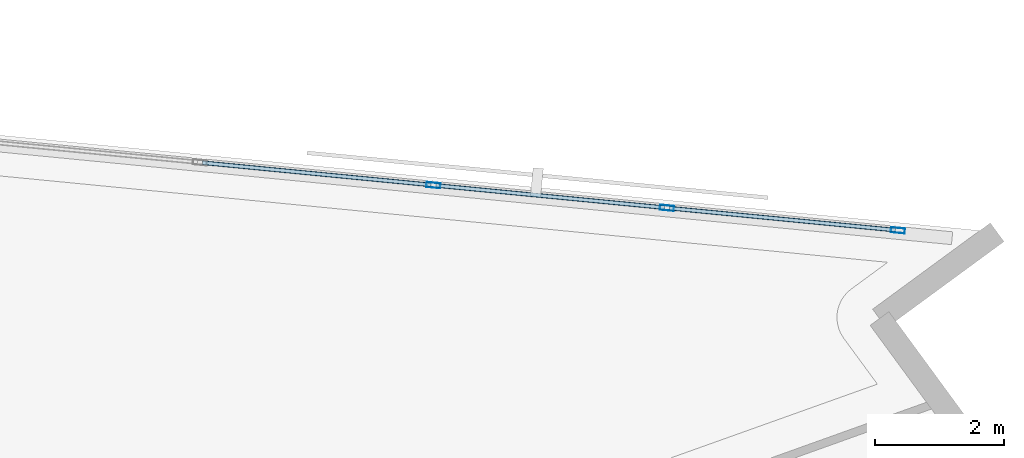
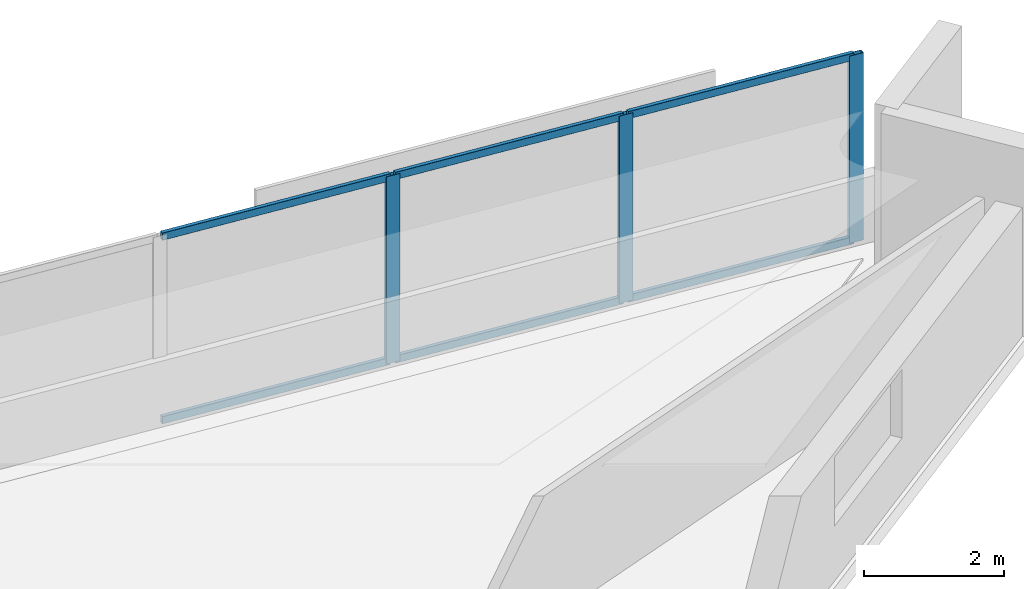
# One storey, part 6 of 14: 9 members, 1 element without a shape of its own.
"""IFC4 building model written with IfcOpenShell, lengths in metres."""

from ifc_helpers import new_model, si_unit, direction, frame, origin, origin_2d, place, context, subcontext, project, spatial, hollow_rectangle, extrude, material, material_profile, profile_set, type_object, element, aggregate, save


model = new_model("IFC4")

# Units and contexts
model_context = context("Model", 3, precision=1e-05, world=origin(), true_north=direction((0.0, 1.0)))
body_context = subcontext(model_context, "Body", "Model", "MODEL_VIEW")
ifc_project = project(units=[si_unit("LENGTHUNIT", "METRE"), si_unit("AREAUNIT", "SQUARE_METRE"), si_unit("VOLUMEUNIT", "CUBIC_METRE"), si_unit("PLANEANGLEUNIT", "RADIAN"), si_unit("MASSUNIT", "GRAM", prefix="KILO")], contexts=[model_context])

# Site, building, storey
site_placement = place(None, origin())
site = spatial("IfcSite", under=ifc_project, at=site_placement, CompositionType="ELEMENT")
building_placement = place(site_placement, origin())
building = spatial("IfcBuilding", under=site, at=building_placement, Name="Narakoshi Arena Tower", CompositionType="ELEMENT")
storey_placement = place(building_placement, frame((0.0, 0.0, 260.739990234375)))
storey = spatial("IfcBuildingStorey", under=building, at=storey_placement, Name="L71", CompositionType="ELEMENT", Elevation=260.739990234375)

# Curtain wall, members
ifc_material = material(Name="Anodised bronze aluminium 6063-T6", Category="aluminium")
curtain_wall_type = type_object("IfcCurtainWallType", Name="CW-HYP-HIGH", PredefinedType="NOTDEFINED", material=ifc_material)
curtain_wall_placement = place(storey_placement, origin())
curtain_wall = element("IfcCurtainWall", 1, at=curtain_wall_placement, inside=storey, type_object=curtain_wall_type, Name="L71 Folded Hypotenuse Curtain Wall 1-1", PredefinedType="NOTDEFINED")
ifc_material_profile_1 = material_profile(ifc_material, hollow_rectangle(XDim=0.080078125, YDim=0.219970703125, WallThickness=0.0048828125, OuterFilletRadius=0.006103515625, at=origin_2d()), Name="MUL220x80x5")
ifc_profile_set_1 = profile_set([ifc_material_profile_1], Name="Anodised bronze aluminium 6063-T6")
member_type_1 = type_object("IfcMemberType", Name="MEM-MUL-220", PredefinedType="MULLION", material=ifc_profile_set_1)
member_1_placement = place(storey_placement, frame((112.25048828125, 60.418701171875, 0.0), z_axis=(0.0, 0.0, 1.0), x_axis=(-0.096851320996, -0.995298860454, 0.0)))
member_1 = element("IfcMember", 2, at=member_1_placement, type_object=member_type_1, Name="CW-03 mullion 1", PredefinedType="MULLION", context=body_context, shape_type="SweptSolid", body=[
    extrude(hollow_rectangle(XDim=0.080078125, YDim=0.219970703125, WallThickness=0.0048828125, OuterFilletRadius=0.006103515625, at=origin_2d()), origin(), (0.0, 0.0, 1.0), 3.260009765625),
])
member_2_placement = place(storey_placement, frame((108.65869140625, 60.768310546875, 0.0), z_axis=(0.0, 0.0, 1.0), x_axis=(-0.096851320996, -0.995298860454, 0.0)))
member_2 = element("IfcMember", 3, at=member_2_placement, type_object=member_type_1, Name="CW-03 mullion 2", PredefinedType="MULLION", context=body_context, shape_type="SweptSolid", body=[
    extrude(hollow_rectangle(XDim=0.080078125, YDim=0.219970703125, WallThickness=0.0048828125, OuterFilletRadius=0.006103515625, at=origin_2d()), origin(), (0.0, 0.0, 1.0), 3.260009765625),
])
member_3_placement = place(storey_placement, frame((105.027099609375, 61.12158203125, 0.0), z_axis=(0.0, 0.0, 1.0), x_axis=(-0.096851320996, -0.995298860454, 0.0)))
member_3 = element("IfcMember", 4, at=member_3_placement, type_object=member_type_1, Name="CW-03 mullion 3", PredefinedType="MULLION", context=body_context, shape_type="SweptSolid", body=[
    extrude(hollow_rectangle(XDim=0.080078125, YDim=0.219970703125, WallThickness=0.0048828125, OuterFilletRadius=0.006103515625, at=origin_2d()), origin(), (0.0, 0.0, 1.0), 3.260009765625),
])
ifc_material_profile_2 = material_profile(ifc_material, hollow_rectangle(XDim=0.06494140625, YDim=0.1298828125, WallThickness=0.00390625, OuterFilletRadius=0.0048828125, at=origin_2d()), Name="TRN130x65x4")
ifc_profile_set_2 = profile_set([ifc_material_profile_2], Name="Anodised bronze aluminium 6063-T6")
member_type_2 = type_object("IfcMemberType", Name="MEM-TRN-130", PredefinedType="USERDEFINED", material=ifc_profile_set_2)
member_4_placement = place(storey_placement, frame((112.210693359375, 60.422607421875, 0.032470703125), z_axis=(-0.995298087829, 0.096859260598, 0.0), x_axis=(-0.096859260598, -0.995298087829, 0.0)))
member_4 = element("IfcMember", 5, at=member_4_placement, type_object=member_type_2, Name="CW-03 transom 1.1", ObjectType="TRANSOM", PredefinedType="USERDEFINED", context=body_context, shape_type="SweptSolid", body=[
    extrude(hollow_rectangle(XDim=0.06494140625, YDim=0.1298828125, WallThickness=0.00390625, OuterFilletRadius=0.0048828125, at=origin_2d()), origin(), (0.0, 0.0, 1.0), 3.52880859375),
])
member_5_placement = place(storey_placement, frame((112.210693359375, 60.422607421875, 3.2275390625), z_axis=(-0.995298087829, 0.096859260598, 0.0), x_axis=(-0.096859260598, -0.995298087829, 0.0)))
member_5 = element("IfcMember", 6, at=member_5_placement, type_object=member_type_2, Name="CW-03 transom 1.2", ObjectType="TRANSOM", PredefinedType="USERDEFINED", context=body_context, shape_type="SweptSolid", body=[
    extrude(hollow_rectangle(XDim=0.06494140625, YDim=0.1298828125, WallThickness=0.00390625, OuterFilletRadius=0.0048828125, at=origin_2d()), origin(), (0.0, 0.0, 1.0), 3.52880859375),
])
member_6_placement = place(storey_placement, frame((108.618896484375, 60.772216796875, 0.032470703125), z_axis=(-0.995303775278, 0.096800800194, 0.0), x_axis=(-0.096800800194, -0.995303775278, 0.0)))
member_6 = element("IfcMember", 7, at=member_6_placement, type_object=member_type_2, Name="CW-03 transom 2.1", ObjectType="TRANSOM", PredefinedType="USERDEFINED", context=body_context, shape_type="SweptSolid", body=[
    extrude(hollow_rectangle(XDim=0.06494140625, YDim=0.1298828125, WallThickness=0.00390625, OuterFilletRadius=0.0048828125, at=origin_2d()), origin(), (0.0, 0.0, 1.0), 3.56884765625),
])
member_7_placement = place(storey_placement, frame((108.618896484375, 60.772216796875, 3.2275390625), z_axis=(-0.995303775278, 0.096800800194, 0.0), x_axis=(-0.096800800194, -0.995303775278, 0.0)))
member_7 = element("IfcMember", 8, at=member_7_placement, type_object=member_type_2, Name="CW-03 transom 2.2", ObjectType="TRANSOM", PredefinedType="USERDEFINED", context=body_context, shape_type="SweptSolid", body=[
    extrude(hollow_rectangle(XDim=0.06494140625, YDim=0.1298828125, WallThickness=0.00390625, OuterFilletRadius=0.0048828125, at=origin_2d()), origin(), (0.0, 0.0, 1.0), 3.56884765625),
])
member_8_placement = place(storey_placement, frame((104.9873046875, 61.12548828125, 0.032470703125), z_axis=(-0.995297181926, 0.096868568947, 0.0), x_axis=(-0.096868568947, -0.995297181926, 0.0)))
member_8 = element("IfcMember", 9, at=member_8_placement, type_object=member_type_2, Name="CW-03 transom 3.1", ObjectType="TRANSOM", PredefinedType="USERDEFINED", context=body_context, shape_type="SweptSolid", body=[
    extrude(hollow_rectangle(XDim=0.06494140625, YDim=0.1298828125, WallThickness=0.00390625, OuterFilletRadius=0.0048828125, at=origin_2d()), origin(), (0.0, 0.0, 1.0), 3.56884765625),
])
member_9_placement = place(storey_placement, frame((104.9873046875, 61.12548828125, 3.2275390625), z_axis=(-0.995297181926, 0.096868568947, 0.0), x_axis=(-0.096868568947, -0.995297181926, 0.0)))
member_9 = element("IfcMember", 10, at=member_9_placement, type_object=member_type_2, Name="CW-03 transom 3.2", ObjectType="TRANSOM", PredefinedType="USERDEFINED", context=body_context, shape_type="SweptSolid", body=[
    extrude(hollow_rectangle(XDim=0.06494140625, YDim=0.1298828125, WallThickness=0.00390625, OuterFilletRadius=0.0048828125, at=origin_2d()), origin(), (0.0, 0.0, 1.0), 3.56884765625),
])
aggregate(curtain_wall, [member_1, member_2, member_3, member_4, member_5, member_6, member_7, member_8, member_9])

save(model, "model.ifc")
